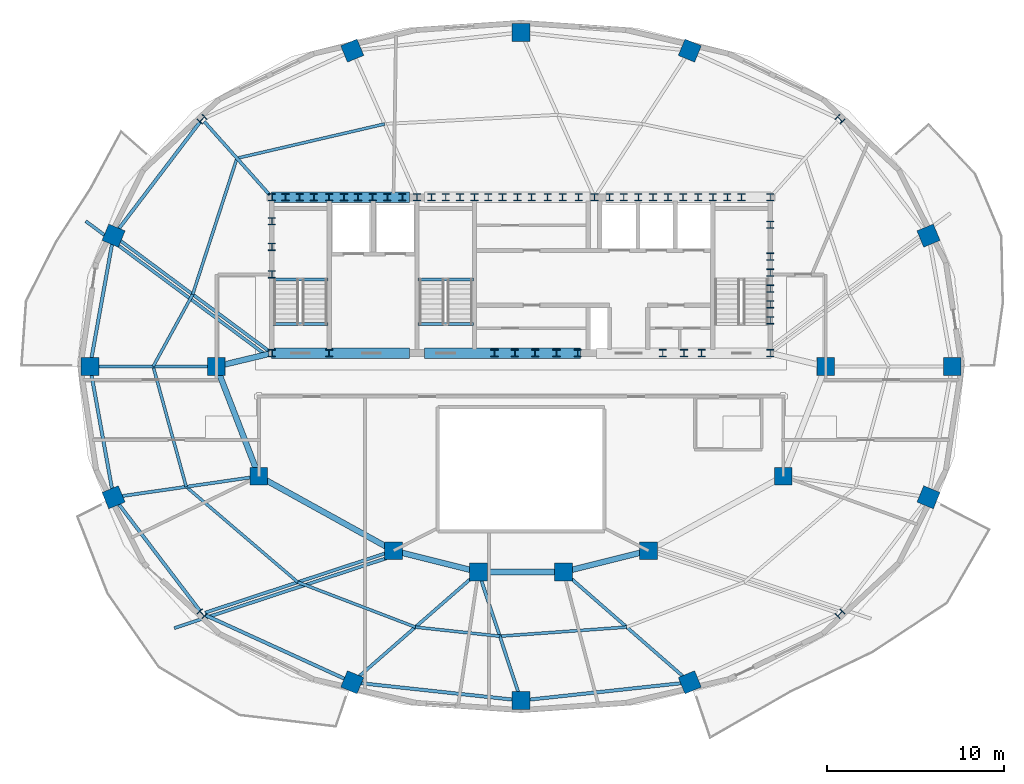
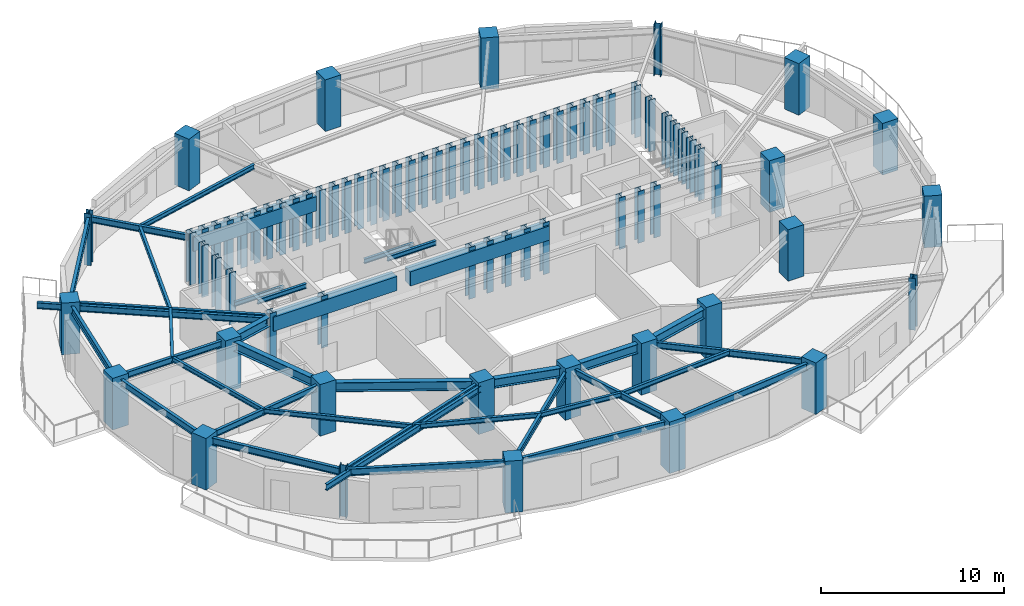
# One storey, part 1 of 10: 78 columns, 38 beams.
"""IFC4 building model written with IfcOpenShell, lengths in metres."""

import ifcopenshell
import ifcopenshell.guid

model = None  # the IFC model being written
_history = None  # IfcOwnerHistory: only IFC2X3 demands one
_inside = {}  # id of a spatial element -> (the spatial element, [elements in it])
_under = {}  # id of a project, library or spatial element -> (it, [spatial elements below it])
_declared = {}  # id of a project -> (the project, [libraries it declares])
_typed = {}  # id of a type object -> (the type object, [elements of that type])
_made_of = {}  # id of a material, layer set ... -> (it, [elements and type objects made of it])


def new_model(schema):
    """Start an empty IFC model of exactly this schema.

    Asked for "IFC4X3", IfcOpenShell would pick the latest addendum, in which some entities
    have other attributes; the version numbers below select the first issue.
    IFC2X3 requires an IfcOwnerHistory on every rooted entity: one is made here for all.
    """
    global model, _history
    if schema == "IFC4X3":
        model = ifcopenshell.file(schema_version=(4, 3, 0, 0))
    else:
        model = ifcopenshell.file(schema=schema)
    _inside.clear()
    _under.clear()
    _declared.clear()
    _typed.clear()
    _made_of.clear()
    _history = None
    if model.schema == "IFC2X3":
        org = make("IfcOrganization", Name="unknown")
        user = make(
            "IfcPersonAndOrganization",
            ThePerson=make("IfcPerson", FamilyName="unknown"),
            TheOrganization=org,
        )
        app = make(
            "IfcApplication",
            ApplicationDeveloper=org,
            Version="unknown",
            ApplicationFullName="unknown",
            ApplicationIdentifier="unknown",
        )
        _history = make(
            "IfcOwnerHistory",
            OwningUser=user,
            OwningApplication=app,
            ChangeAction="ADDED",
            CreationDate=0,
        )
    return model


def make(cls, **values):
    """One entity of the class cls with the attributes given. An attribute that is None is left unset."""
    return model.create_entity(
        cls, **{name: value for name, value in values.items() if value is not None}
    )


def rooted(cls, **values):
    """An entity with a GlobalId (a new one), such as an element, a storey or a relation."""
    return make(cls, GlobalId=ifcopenshell.guid.new(), OwnerHistory=_history, **values)


def si_unit(unit_type, name, prefix=None):
    """IfcSIUnit, for example si_unit("LENGTHUNIT", "METRE", prefix="MILLI")."""
    return make("IfcSIUnit", UnitType=unit_type, Prefix=prefix, Name=name)


def assignment(units):
    """IfcUnitAssignment: the units of a project."""
    return None if units is None else make("IfcUnitAssignment", Units=units)


def point(xyz):
    """IfcCartesianPoint."""
    return None if xyz is None else make("IfcCartesianPoint", Coordinates=xyz)


def direction(xyz):
    """IfcDirection."""
    return None if xyz is None else make("IfcDirection", DirectionRatios=xyz)


def frame(location, z_axis=None, x_axis=None):
    """IfcAxis2Placement3D, a coordinate frame: its origin and axes. An axis left out is left unset."""
    return make(
        "IfcAxis2Placement3D",
        Location=point(location),
        Axis=direction(z_axis),
        RefDirection=direction(x_axis),
    )


def frame_2d(location, x_axis=None):
    """IfcAxis2Placement2D, a coordinate frame in the plane: its origin and x axis."""
    return make(
        "IfcAxis2Placement2D", Location=point(location), RefDirection=direction(x_axis)
    )


def origin():
    """The frame at (0, 0, 0) with its axes left unset."""
    return frame((0.0, 0.0, 0.0))


def origin_2d():
    """The frame at (0, 0) in the plane with its x axis left unset."""
    return frame_2d((0.0, 0.0))


def place(relative_to, where):
    """IfcLocalPlacement: puts the frame where relative to a parent placement (None: the world)."""
    return make(
        "IfcLocalPlacement", PlacementRelTo=relative_to, RelativePlacement=where
    )


def context(
    kind, dimensions, precision=None, world=None, true_north=None, identifier=None
):
    """IfcGeometricRepresentationContext, for example the 3D "Model" context."""
    return make(
        "IfcGeometricRepresentationContext",
        ContextIdentifier=identifier,
        ContextType=kind,
        CoordinateSpaceDimension=dimensions,
        Precision=precision,
        WorldCoordinateSystem=world,
        TrueNorth=true_north,
    )


def subcontext(parent, identifier, kind, view, scale=None):
    """IfcGeometricRepresentationSubContext, for example "Body" below "Model"."""
    return make(
        "IfcGeometricRepresentationSubContext",
        ContextIdentifier=identifier,
        ContextType=kind,
        ParentContext=parent,
        TargetScale=scale,
        TargetView=view,
    )


def project(units=None, contexts=None):
    """IfcProject with its units and contexts."""
    return rooted(
        "IfcProject",
        Name="project",
        RepresentationContexts=contexts,
        UnitsInContext=assignment(units),
    )


def spatial(cls, under=None, at=None, **own):
    """A site, building, storey or space (cls), placed at a placement, below another one or the project."""
    s = rooted(cls, ObjectPlacement=at, **own)
    if under is not None:
        _under.setdefault(under.id(), (under, []))[1].append(s)
    return s


def profile(cls, at=None, kind="AREA", **sizes):
    """A parametric profile (cls). Its sizes go by their IFC names, for example OverallWidth=200.0."""
    return make(cls, ProfileType=kind, Position=at, **sizes)


def rectangle(**sizes):
    """IfcRectangleProfileDef."""
    return profile("IfcRectangleProfileDef", **sizes)


def i_section(**sizes):
    """IfcIShapeProfileDef."""
    return profile("IfcIShapeProfileDef", **sizes)


def extrude(swept, where, along, depth):
    """IfcExtrudedAreaSolid: the profile swept, set in the frame where, extruded along a direction by depth."""
    return make(
        "IfcExtrudedAreaSolid",
        SweptArea=swept,
        Position=where,
        ExtrudedDirection=direction(along),
        Depth=depth,
    )


def shape(context_of_items, identifier, shape_type, items):
    """IfcShapeRepresentation: the items that make up one representation, for example the "Body"."""
    return make(
        "IfcShapeRepresentation",
        ContextOfItems=context_of_items,
        RepresentationIdentifier=identifier,
        RepresentationType=shape_type,
        Items=items,
    )


def material(Name=None, Category=None):
    """IfcMaterial."""
    return make("IfcMaterial", Name=Name, Category=Category)


def material_profile(
    of_material, cross_section, Name=None, Category=None, Priority=None
):
    """IfcMaterialProfile: a cross section and its material."""
    return make(
        "IfcMaterialProfile",
        Name=Name,
        Material=of_material,
        Profile=cross_section,
        Priority=Priority,
        Category=Category,
    )


def profile_set(profiles, Name=None, composite=None):
    """IfcMaterialProfileSet."""
    return make(
        "IfcMaterialProfileSet",
        Name=Name,
        MaterialProfiles=profiles,
        CompositeProfile=composite,
    )


def made_of(thing, what):
    """Note that an element or type object is made of a material, layer set ...; save() writes the relation."""
    if what is not None:
        _made_of.setdefault(what.id(), (what, []))[1].append(thing)
    return thing


def type_object(cls, material=None, **own):
    """A type object (cls), such as IfcWallType, which elements share."""
    return made_of(rooted(cls, **own), material)


def element(
    cls,
    number,
    at=None,
    inside=None,
    cuts=None,
    type_object=None,
    material=None,
    context=None,
    identifier="Body",
    shape_type=None,
    held_by="IfcProductDefinitionShape",
    body=None,
    shapes=None,
    **own,
):
    """One element of the class cls, such as IfcWall. Its Tag is "e" and its number.

    at: its placement. inside: the storey or other place that contains it. cuts: it is an
    opening in that element (IfcRelVoidsElement). A single representation is given by context,
    identifier, shape_type and body (its items); several are given by shapes. held_by: the class
    of the entity that holds the representations. save() writes the other relations.
    """
    e = rooted(cls, Tag="e%d" % number, ObjectPlacement=at, **own)
    if body is not None:
        shapes = [shape(context, identifier, shape_type, body)]
    if shapes is not None:
        e.Representation = make(held_by, Representations=shapes)
    if inside is not None:
        _inside.setdefault(inside.id(), (inside, []))[1].append(e)
    if cuts is not None:
        rooted(
            "IfcRelVoidsElement", RelatingBuildingElement=cuts, RelatedOpeningElement=e
        )
    if type_object is not None:
        _typed.setdefault(type_object.id(), (type_object, []))[1].append(e)
    return made_of(e, material)


def aggregate(whole, parts):
    """IfcRelAggregates: a whole, such as a stair, and the parts it consists of."""
    return rooted("IfcRelAggregates", RelatingObject=whole, RelatedObjects=parts)


def save(model, path):
    """Write the relations noted so far, then the file.

    IfcRelAggregates (storeys below a building ...), IfcRelContainedInSpatialStructure (elements
    in a storey), IfcRelDefinesByType, IfcRelAssociatesMaterial and IfcRelDeclares: one each for
    every whole, place, type object, material and project.
    """
    for whole, parts in _under.values():
        aggregate(whole, parts)
    for where, things in _inside.values():
        rooted(
            "IfcRelContainedInSpatialStructure",
            RelatedElements=things,
            RelatingStructure=where,
        )
    for kind, things in _typed.values():
        rooted("IfcRelDefinesByType", RelatedObjects=things, RelatingType=kind)
    for what, things in _made_of.values():
        rooted("IfcRelAssociatesMaterial", RelatedObjects=things, RelatingMaterial=what)
    for by, libraries in _declared.values():
        rooted("IfcRelDeclares", RelatingContext=by, RelatedDefinitions=libraries)
    model.write(path)


model = new_model("IFC4")

# Units and contexts
model_context = context("Model", 3, precision=1e-05, world=origin(), true_north=direction((0.0, 1.0)))
body_context = subcontext(model_context, "Body", "Model", "MODEL_VIEW")
ifc_project = project(units=[si_unit("LENGTHUNIT", "METRE"), si_unit("AREAUNIT", "SQUARE_METRE"), si_unit("VOLUMEUNIT", "CUBIC_METRE"), si_unit("PLANEANGLEUNIT", "RADIAN"), si_unit("MASSUNIT", "GRAM", prefix="KILO")], contexts=[model_context])

# Site, building, storey
site_placement = place(None, origin())
site = spatial("IfcSite", under=ifc_project, at=site_placement, CompositionType="ELEMENT")
building_placement = place(site_placement, origin())
building = spatial("IfcBuilding", under=site, at=building_placement, Name="Haldorwick Loom Tower", CompositionType="ELEMENT")
storey_placement = place(building_placement, frame((0.0, 0.0, 255.75)))
storey = spatial("IfcBuildingStorey", under=building, at=storey_placement, Name="L69", CompositionType="ELEMENT", Elevation=255.75)

# Columns
ifc_material_1 = material(Name="Concrete C60 (60 MPa)", Category="concrete")
ifc_material_profile_1 = material_profile(ifc_material_1, rectangle(XDim=1.0, YDim=1.0, at=origin_2d()), Name="RC1000X1000", Category="concrete")
ifc_profile_set_1 = profile_set([ifc_material_profile_1], Name="Concrete C60 (60 MPa)")
column_type_1 = type_object("IfcColumnType", Name="STR-COL-RC1000", PredefinedType="COLUMN", material=ifc_profile_set_1)
for number, where, z_axis, x_axis, name in (
    (1, (53.199951171875, 26.0, 0.0), (0.0, 0.0, 1.0), (1.0, 0.0, 0.0), "L69 Inner Column IC-01"),
    (2, (50.800048828125, 19.800048828125, 0.0), (0.0, 0.0, 1.0), (1.0, 0.0, 0.0), "L69 Inner Column IC-02"),
    (3, (43.199951171875, 15.60009765625, 0.0), (0.0, 0.0, 1.0), (1.0, 0.0, 0.0), "L69 Inner Column IC-03"),
    (4, (38.39990234375, 14.39990234375, 0.0), (0.0, 0.0, 1.0), (1.0, 0.0, 0.0), "L69 Inner Column IC-04"),
    (5, (33.60009765625, 14.39990234375, 0.0), (0.0, 0.0, 1.0), (1.0, 0.0, 0.0), "L69 Inner Column IC-05"),
    (6, (28.800048828125, 15.60009765625, 0.0), (0.0, 0.0, 1.0), (1.0, 0.0, 0.0), "L69 Inner Column IC-06"),
    (7, (21.199951171875, 19.800048828125, 0.0), (0.0, 0.0, 1.0), (1.0, 0.0, 0.0), "L69 Inner Column IC-07"),
    (8, (18.800048828125, 26.0, 0.0), (0.0, 0.0, 1.0), (1.0, 0.0, 0.0), "L69 Inner Column IC-08"),
    (9, (60.3369140625, 26.0, 0.0), (0.0, 0.0, 1.0), (1.0, 0.0, 0.0), "L69 Perimeter Pier Column P01"),
    (10, (59.004638671875, 33.3857421875, 0.0), (0.0, 0.0, 1.0), (0.923879532511, 0.382683432365, 0.0), "L69 Perimeter Pier Column P02"),
    (11, (45.52880859375, 43.830810546875, 0.0), (0.0, 0.0, 1.0), (0.382683432365, 0.923879532511, 0.0), "L69 Perimeter Pier Column P04"),
    (12, (36.0, 44.860107421875, 0.0), (0.0, 0.0, 1.0), (0.0, 1.0, 0.0), "L69 Perimeter Pier Column P05"),
    (13, (26.47119140625, 43.830810546875, 0.0), (0.0, 0.0, 1.0), (-0.382683432365, 0.923879532511, 0.0), "L69 Perimeter Pier Column P06"),
    (14, (12.995361328125, 33.3857421875, 0.0), (0.0, 0.0, 1.0), (-0.923879532511, 0.382683432365, 0.0), "L69 Perimeter Pier Column P08"),
    (15, (11.6630859375, 26.0, 0.0), (0.0, 0.0, 1.0), (-1.0, 0.0, 0.0), "L69 Perimeter Pier Column P09"),
    (16, (12.995361328125, 18.6142578125, 0.0), (0.0, 0.0, 1.0), (-0.923879532511, -0.382683432365, 0.0), "L69 Perimeter Pier Column P10"),
    (17, (26.47119140625, 8.169189453125, 0.0), (0.0, 0.0, 1.0), (-0.382683432365, -0.923879532511, 0.0), "L69 Perimeter Pier Column P12"),
    (18, (36.0, 7.139892578125, 0.0), (0.0, 0.0, 1.0), (0.0, -1.0, 0.0), "L69 Perimeter Pier Column P13"),
    (19, (45.52880859375, 8.169189453125, 0.0), (0.0, 0.0, 1.0), (0.382683432365, -0.923879532511, 0.0), "L69 Perimeter Pier Column P14"),
    (20, (59.004638671875, 18.6142578125, 0.0), (0.0, 0.0, 1.0), (0.923879532511, -0.382683432365, 0.0), "L69 Perimeter Pier Column P16"),
):
    element("IfcColumn", number, at=place(storey_placement, frame(where, z_axis=z_axis, x_axis=x_axis)), inside=storey, type_object=column_type_1, Name=name, PredefinedType="COLUMN", context=body_context, shape_type="SweptSolid", body=[
        extrude(rectangle(XDim=1.0, YDim=1.0, at=origin_2d()), origin(), (0.0, 0.0, 1.0), 3.449951171875),
    ])
ifc_material_2 = material(Name="Steel CSA G40.21 350W", Category="steel")
ifc_material_profile_2 = material_profile(ifc_material_2, i_section(OverallWidth=0.406005859375, OverallDepth=0.416015625, WebThickness=0.024169921875, FlangeThickness=0.03857421875, at=origin_2d()), Name="W360X382", Category="steel")
ifc_profile_set_2 = profile_set([ifc_material_profile_2], Name="Steel CSA G40.21 350W")
column_type_2 = type_object("IfcColumnType", Name="STR-COL-W360X382", PredefinedType="COLUMN", material=ifc_profile_set_2)
for number, where, z_axis, x_axis, name in (
    (21, (21.929931640625, 35.550048828125, 0.0), (0.0, 0.0, 1.0), (1.0, 0.0, 0.0), "L69 Core Pilaster CB-01"),
    (22, (23.5, 35.550048828125, 0.0), (0.0, 0.0, 1.0), (1.0, 0.0, 0.0), "L69 Core Pilaster CB-02"),
    (23, (25.169921875, 35.550048828125, 0.0), (0.0, 0.0, 1.0), (1.0, 0.0, 0.0), "L69 Core Pilaster CB-03"),
    (24, (26.800048828125, 35.550048828125, 0.0), (0.0, 0.0, 1.0), (1.0, 0.0, 0.0), "L69 Core Pilaster CB-04"),
    (25, (28.449951171875, 35.550048828125, 0.0), (0.0, 0.0, 1.0), (1.0, 0.0, 0.0), "L69 Core Pilaster CB-05"),
    (26, (30.1298828125, 35.550048828125, 0.0), (0.0, 0.0, 1.0), (1.0, 0.0, 0.0), "L69 Core Pilaster CB-06"),
    (27, (31.75, 35.550048828125, 0.0), (0.0, 0.0, 1.0), (1.0, 0.0, 0.0), "L69 Core Pilaster CB-07"),
    (28, (33.3701171875, 35.550048828125, 0.0), (0.0, 0.0, 1.0), (1.0, 0.0, 0.0), "L69 Core Pilaster CB-08"),
    (29, (34.949951171875, 35.550048828125, 0.0), (0.0, 0.0, 1.0), (1.0, 0.0, 0.0), "L69 Core Pilaster CB-09"),
    (30, (36.60009765625, 35.550048828125, 0.0), (0.0, 0.0, 1.0), (1.0, 0.0, 0.0), "L69 Core Pilaster CB-10"),
    (31, (38.35009765625, 35.550048828125, 0.0), (0.0, 0.0, 1.0), (1.0, 0.0, 0.0), "L69 Core Pilaster CB-11"),
    (32, (40.14990234375, 35.550048828125, 0.0), (0.0, 0.0, 1.0), (1.0, 0.0, 0.0), "L69 Core Pilaster CB-12"),
    (33, (41.800048828125, 35.550048828125, 0.0), (0.0, 0.0, 1.0), (1.0, 0.0, 0.0), "L69 Core Pilaster CB-13"),
    (34, (43.449951171875, 35.550048828125, 0.0), (0.0, 0.0, 1.0), (1.0, 0.0, 0.0), "L69 Core Pilaster CB-14"),
    (35, (45.14990234375, 35.550048828125, 0.0), (0.0, 0.0, 1.0), (1.0, 0.0, 0.0), "L69 Core Pilaster CB-15"),
    (36, (46.830078125, 35.550048828125, 0.0), (0.0, 0.0, 1.0), (1.0, 0.0, 0.0), "L69 Core Pilaster CB-16"),
    (37, (48.449951171875, 35.550048828125, 0.0), (0.0, 0.0, 1.0), (1.0, 0.0, 0.0), "L69 Core Pilaster CB-17"),
    (38, (50.070068359375, 35.550048828125, 0.0), (0.0, 0.0, 1.0), (1.0, 0.0, 0.0), "L69 Core Pilaster CB-18"),
    (39, (21.929931640625, 26.75, 0.0), (0.0, 0.0, 1.0), (1.0, 0.0, 0.0), "L69 Core Pilaster CB-19"),
    (40, (25.169921875, 26.75, 0.0), (0.0, 0.0, 1.0), (1.0, 0.0, 0.0), "L69 Core Pilaster CB-20"),
    (41, (34.5, 26.75, 0.0), (0.0, 0.0, 1.0), (1.0, 0.0, 0.0), "L69 Core Pilaster CB-21"),
    (42, (36.800048828125, 26.75, 0.0), (0.0, 0.0, 1.0), (1.0, 0.0, 0.0), "L69 Core Pilaster CB-22"),
    (43, (39.199951171875, 26.75, 0.0), (0.0, 0.0, 1.0), (1.0, 0.0, 0.0), "L69 Core Pilaster CB-23"),
    (44, (45.199951171875, 26.75, 0.0), (0.0, 0.0, 1.0), (1.0, 0.0, 0.0), "L69 Core Pilaster CB-24"),
    (45, (50.070068359375, 26.75, 0.0), (0.0, 0.0, 1.0), (1.0, 0.0, 0.0), "L69 Core Pilaster CB-25"),
    (46, (21.929931640625, 31.199951171875, 0.0), (0.0, 0.0, 1.0), (1.0, 0.0, 0.0), "L69 Core Pilaster CB-26"),
    (47, (21.929931640625, 32.75, 0.0), (0.0, 0.0, 1.0), (1.0, 0.0, 0.0), "L69 Core Pilaster CB-27"),
    (48, (21.929931640625, 34.199951171875, 0.0), (0.0, 0.0, 1.0), (1.0, 0.0, 0.0), "L69 Core Pilaster CB-28"),
    (49, (50.070068359375, 28.60009765625, 0.0), (0.0, 0.0, 1.0), (1.0, 0.0, 0.0), "L69 Core Pilaster CB-29"),
    (50, (50.070068359375, 30.39990234375, 0.0), (0.0, 0.0, 1.0), (1.0, 0.0, 0.0), "L69 Core Pilaster CB-30"),
    (51, (50.070068359375, 32.199951171875, 0.0), (0.0, 0.0, 1.0), (1.0, 0.0, 0.0), "L69 Core Pilaster CB-31"),
    (52, (50.070068359375, 34.0, 0.0), (0.0, 0.0, 1.0), (1.0, 0.0, 0.0), "L69 Core Pilaster CB-32"),
    (53, (22.699951171875, 35.550048828125, 0.0), (0.0, 0.0, 1.0), (1.0, 0.0, 0.0), "L69 Core Pilaster CB-33"),
    (54, (27.6201171875, 35.550048828125, 0.0), (0.0, 0.0, 1.0), (1.0, 0.0, 0.0), "L69 Core Pilaster CB-34"),
    (55, (32.550048828125, 35.550048828125, 0.0), (0.0, 0.0, 1.0), (1.0, 0.0, 0.0), "L69 Core Pilaster CB-35"),
    (56, (37.5, 35.550048828125, 0.0), (0.0, 0.0, 1.0), (1.0, 0.0, 0.0), "L69 Core Pilaster CB-36"),
    (57, (42.6201171875, 35.550048828125, 0.0), (0.0, 0.0, 1.0), (1.0, 0.0, 0.0), "L69 Core Pilaster CB-37"),
    (58, (47.64990234375, 35.550048828125, 0.0), (0.0, 0.0, 1.0), (1.0, 0.0, 0.0), "L69 Core Pilaster CB-38"),
    (59, (24.300048828125, 35.550048828125, 0.0), (0.0, 0.0, 1.0), (1.0, 0.0, 0.0), "L69 Core Pilaster CB-39"),
    (60, (26.0, 35.550048828125, 0.0), (0.0, 0.0, 1.0), (1.0, 0.0, 0.0), "L69 Core Pilaster CB-40"),
    (61, (29.300048828125, 35.550048828125, 0.0), (0.0, 0.0, 1.0), (1.0, 0.0, 0.0), "L69 Core Pilaster CB-41"),
    (62, (30.949951171875, 35.550048828125, 0.0), (0.0, 0.0, 1.0), (1.0, 0.0, 0.0), "L69 Core Pilaster CB-42"),
    (63, (34.14990234375, 35.550048828125, 0.0), (0.0, 0.0, 1.0), (1.0, 0.0, 0.0), "L69 Core Pilaster CB-43"),
    (64, (35.800048828125, 35.550048828125, 0.0), (0.0, 0.0, 1.0), (1.0, 0.0, 0.0), "L69 Core Pilaster CB-44"),
    (65, (39.25, 35.550048828125, 0.0), (0.0, 0.0, 1.0), (1.0, 0.0, 0.0), "L69 Core Pilaster CB-45"),
    (66, (41.0, 35.550048828125, 0.0), (0.0, 0.0, 1.0), (1.0, 0.0, 0.0), "L69 Core Pilaster CB-46"),
    (67, (44.300048828125, 35.550048828125, 0.0), (0.0, 0.0, 1.0), (1.0, 0.0, 0.0), "L69 Core Pilaster CB-47"),
    (68, (46.0, 35.550048828125, 0.0), (0.0, 0.0, 1.0), (1.0, 0.0, 0.0), "L69 Core Pilaster CB-48"),
    (69, (50.070068359375, 29.5, 0.0), (0.0, 0.0, 1.0), (1.0, 0.0, 0.0), "L69 Core Pilaster CB-49"),
    (70, (50.070068359375, 31.300048828125, 0.0), (0.0, 0.0, 1.0), (1.0, 0.0, 0.0), "L69 Core Pilaster CB-50"),
    (71, (35.64990234375, 26.75, 0.0), (0.0, 0.0, 1.0), (1.0, 0.0, 0.0), "L69 Core Pilaster CB-51"),
    (72, (38.0, 26.75, 0.0), (0.0, 0.0, 1.0), (1.0, 0.0, 0.0), "L69 Core Pilaster CB-52"),
    (73, (44.0, 26.75, 0.0), (0.0, 0.0, 1.0), (1.0, 0.0, 0.0), "L69 Core Pilaster CB-53"),
    (74, (46.199951171875, 26.75, 0.0), (0.0, 0.0, 1.0), (1.0, 0.0, 0.0), "L69 Core Pilaster CB-54"),
    (75, (54.005126953125, 39.958251953125, 0.0), (0.0, 0.0, 1.0), (0.707106781187, 0.707106781187, 0.0), "L69 Perimeter Pier Column P03"),
    (76, (17.994873046875, 39.958251953125, 0.0), (0.0, 0.0, 1.0), (-0.707106781187, 0.707106781187, 0.0), "L69 Perimeter Pier Column P07"),
    (77, (17.994873046875, 12.041748046875, 0.0), (0.0, 0.0, 1.0), (-0.707106781187, -0.707106781187, 0.0), "L69 Perimeter Pier Column P11"),
    (78, (54.005126953125, 12.041748046875, 0.0), (0.0, 0.0, 1.0), (0.707106781187, -0.707106781187, 0.0), "L69 Perimeter Pier Column P15"),
):
    element("IfcColumn", number, at=place(storey_placement, frame(where, z_axis=z_axis, x_axis=x_axis)), inside=storey, type_object=column_type_2, Name=name, PredefinedType="COLUMN", context=body_context, shape_type="SweptSolid", body=[
        extrude(i_section(OverallWidth=0.406005859375, OverallDepth=0.416015625, WebThickness=0.024169921875, FlangeThickness=0.03857421875, at=origin_2d()), origin(), (0.0, 0.0, 1.0), 3.449951171875),
    ])

# Beams
ifc_material_profile_3 = material_profile(ifc_material_2, i_section(OverallWidth=0.179931640625, OverallDepth=0.4130859375, WebThickness=0.009765625, FlangeThickness=0.01611328125, at=origin_2d()), Name="W410X74", Category="steel")
ifc_profile_set_3 = profile_set([ifc_material_profile_3], Name="Steel CSA G40.21 350W")
beam_type_1 = type_object("IfcBeamType", Name="STR-BM-BAL410", PredefinedType="BEAM", material=ifc_profile_set_3)
beam_1_placement = place(storey_placement, frame((28.436279296875, 15.185546875, 3.00341796875), z_axis=(-0.949817650067, -0.312804142589, 0.0), x_axis=(0.312804142589, -0.949817650067, 0.0)))
element("IfcBeam", 79, at=beam_1_placement, inside=storey, type_object=beam_type_1, Name="L69 Continuous Back-Spanned Balcony Beam 2", PredefinedType="BEAM", context=body_context, shape_type="SweptSolid", body=[
    extrude(i_section(OverallWidth=0.179931640625, OverallDepth=0.4130859375, WebThickness=0.009765625, FlangeThickness=0.01611328125, at=origin_2d()), origin(), (0.0, 0.0, 1.0), 12.65087890625),
])
beam_2_placement = place(storey_placement, frame((21.6201171875, 26.63134765625, 3.00341796875), z_axis=(-0.802802996116, 0.596244370562, 0.0), x_axis=(-0.596244370562, -0.802802996116, 0.0)))
element("IfcBeam", 80, at=beam_2_placement, inside=storey, type_object=beam_type_1, Name="L69 Continuous Back-Spanned Balcony Beam 3", PredefinedType="BEAM", context=body_context, shape_type="SweptSolid", body=[
    extrude(i_section(OverallWidth=0.179931640625, OverallDepth=0.4130859375, WebThickness=0.009765625, FlangeThickness=0.01611328125, at=origin_2d()), origin(), (0.0, 0.0, 1.0), 12.701171875),
])
ifc_material_3 = material(Name="Concrete C50 (50 MPa)", Category="concrete")
ifc_material_profile_4 = material_profile(ifc_material_3, rectangle(XDim=0.60009765625, YDim=0.949951171875, at=origin_2d()), Name="RC600X950", Category="concrete")
ifc_profile_set_4 = profile_set([ifc_material_profile_4], Name="Concrete C50 (50 MPa)")
beam_type_2 = type_object("IfcBeamType", Name="STR-BM-CB950", PredefinedType="LINTEL", material=ifc_profile_set_4)
for number, where, z_axis, x_axis, name in (
    (81, (21.89990234375, 35.550048828125, 2.735107421875), (1.0, 0.0, 0.0), (0.0, 1.0, 0.0), "L69 Core Coupling Beam CB-N1"),
    (82, (21.89990234375, 26.75, 2.735107421875), (1.0, 0.0, 0.0), (0.0, 1.0, 0.0), "L69 Core Coupling Beam CB-S1"),
):
    element("IfcBeam", number, at=place(storey_placement, frame(where, z_axis=z_axis, x_axis=x_axis)), inside=storey, type_object=beam_type_2, Name=name, PredefinedType="LINTEL", context=body_context, shape_type="SweptSolid", body=[
        extrude(rectangle(XDim=0.60009765625, YDim=0.949951171875, at=origin_2d()), origin(), (0.0, 0.0, 1.0), 7.800048828125),
    ])
beam_3_placement = place(storey_placement, frame((30.550048828125, 26.75, 2.735107421875), z_axis=(1.0, 0.0, 0.0), x_axis=(0.0, 1.0, 0.0)))
element("IfcBeam", 83, at=beam_3_placement, inside=storey, type_object=beam_type_2, Name="L69 Core Coupling Beam CB-S2", PredefinedType="LINTEL", context=body_context, shape_type="SweptSolid", body=[
    extrude(rectangle(XDim=0.60009765625, YDim=0.949951171875, at=origin_2d()), origin(), (0.0, 0.0, 1.0), 8.800048828125),
])
ifc_material_profile_5 = material_profile(ifc_material_2, i_section(OverallWidth=0.166015625, OverallDepth=0.31298828125, WebThickness=0.006591796875, FlangeThickness=0.01123046875, at=origin_2d()), Name="W310X45", Category="steel")
ifc_profile_set_5 = profile_set([ifc_material_profile_5], Name="Steel CSA G40.21 350W")
beam_type_3 = type_object("IfcBeamType", Name="STR-BM-J310", PredefinedType="JOIST", material=ifc_profile_set_5)
beam_4_placement = place(storey_placement, frame((28.300537109375, 39.6904296875, 3.053466796875), z_axis=(-0.974080706337, -0.226200746112, 0.0), x_axis=(0.226200746112, -0.974080706337, 0.0)))
element("IfcBeam", 84, at=beam_4_placement, inside=storey, type_object=beam_type_3, Name="L69 Mid-Bay Secondary Joist 6", PredefinedType="JOIST", context=body_context, shape_type="SweptSolid", body=[
    extrude(i_section(OverallWidth=0.166015625, OverallDepth=0.31298828125, WebThickness=0.006591796875, FlangeThickness=0.01123046875, at=origin_2d()), origin(), (0.0, 0.0, 1.0), 8.56005859375),
])
beam_5_placement = place(storey_placement, frame((19.96240234375, 37.754150390625, 3.053466796875), z_axis=(-0.309277990337, -0.95097167397, 0.0), x_axis=(0.95097167397, -0.309277990337, 0.0)))
element("IfcBeam", 85, at=beam_5_placement, inside=storey, type_object=beam_type_3, Name="L69 Mid-Bay Secondary Joist 7", PredefinedType="JOIST", context=body_context, shape_type="SweptSolid", body=[
    extrude(i_section(OverallWidth=0.166015625, OverallDepth=0.31298828125, WebThickness=0.006591796875, FlangeThickness=0.01123046875, at=origin_2d()), origin(), (0.0, 0.0, 1.0), 8.08251953125),
])
beam_6_placement = place(storey_placement, frame((17.462646484375, 30.06787109375, 3.053466796875), z_axis=(-0.480863931781, -0.876795232145, 0.0), x_axis=(0.876795232145, -0.480863931781, 0.0)))
element("IfcBeam", 86, at=beam_6_placement, inside=storey, type_object=beam_type_3, Name="L69 Mid-Bay Secondary Joist 8", PredefinedType="JOIST", context=body_context, shape_type="SweptSolid", body=[
    extrude(i_section(OverallWidth=0.166015625, OverallDepth=0.31298828125, WebThickness=0.006591796875, FlangeThickness=0.01123046875, at=origin_2d()), origin(), (0.0, 0.0, 1.0), 4.639404296875),
])
beam_7_placement = place(storey_placement, frame((15.231689453125, 26.0, 3.053466796875), z_axis=(0.264879381431, -0.964281552915, 0.0), x_axis=(0.964281552915, 0.264879381431, 0.0)))
element("IfcBeam", 87, at=beam_7_placement, inside=storey, type_object=beam_type_3, Name="L69 Mid-Bay Secondary Joist 9", PredefinedType="JOIST", context=body_context, shape_type="SweptSolid", body=[
    extrude(i_section(OverallWidth=0.166015625, OverallDepth=0.31298828125, WebThickness=0.006591796875, FlangeThickness=0.01123046875, at=origin_2d()), origin(), (0.0, 0.0, 1.0), 7.044677734375),
])
beam_8_placement = place(storey_placement, frame((17.09765625, 19.20703125, 3.053466796875), z_axis=(0.760066902561, -0.649844830426, 0.0), x_axis=(0.649844830426, 0.760066902561, 0.0)))
element("IfcBeam", 88, at=beam_8_placement, inside=storey, type_object=beam_type_3, Name="L69 Mid-Bay Secondary Joist 10", PredefinedType="JOIST", context=body_context, shape_type="SweptSolid", body=[
    extrude(i_section(OverallWidth=0.166015625, OverallDepth=0.31298828125, WebThickness=0.006591796875, FlangeThickness=0.01123046875, at=origin_2d()), origin(), (0.0, 0.0, 1.0), 8.28857421875),
])
beam_9_placement = place(storey_placement, frame((23.3974609375, 13.82080078125, 3.053466796875), z_axis=(0.934134056558, -0.356922350628, 0.0), x_axis=(0.356922350628, 0.934134056558, 0.0)))
element("IfcBeam", 89, at=beam_9_placement, inside=storey, type_object=beam_type_3, Name="L69 Mid-Bay Secondary Joist 11", PredefinedType="JOIST", context=body_context, shape_type="SweptSolid", body=[
    extrude(i_section(OverallWidth=0.166015625, OverallDepth=0.31298828125, WebThickness=0.006591796875, FlangeThickness=0.01123046875, at=origin_2d()), origin(), (0.0, 0.0, 1.0), 7.106201171875),
])
beam_10_placement = place(storey_placement, frame((30.03564453125, 11.284423828125, 3.053466796875), z_axis=(0.994221899005, -0.107344378232, 0.0), x_axis=(0.107344378232, 0.994221899005, 0.0)))
element("IfcBeam", 90, at=beam_10_placement, inside=storey, type_object=beam_type_3, Name="L69 Mid-Bay Secondary Joist 12", PredefinedType="JOIST", context=body_context, shape_type="SweptSolid", body=[
    extrude(i_section(OverallWidth=0.166015625, OverallDepth=0.31298828125, WebThickness=0.006591796875, FlangeThickness=0.01123046875, at=origin_2d()), origin(), (0.0, 0.0, 1.0), 4.7919921875),
])
beam_11_placement = place(storey_placement, frame((34.800048828125, 10.77001953125, 3.053466796875), z_axis=(0.997432233153, 0.071616620046, 0.0), x_axis=(-0.071616620046, 0.997432233153, 0.0)))
element("IfcBeam", 91, at=beam_11_placement, inside=storey, type_object=beam_type_3, Name="L69 Mid-Bay Secondary Joist 13", PredefinedType="JOIST", context=body_context, shape_type="SweptSolid", body=[
    extrude(i_section(OverallWidth=0.166015625, OverallDepth=0.31298828125, WebThickness=0.006591796875, FlangeThickness=0.01123046875, at=origin_2d()), origin(), (0.0, 0.0, 1.0), 7.182861328125),
])
ifc_material_profile_6 = material_profile(ifc_material_2, i_section(OverallWidth=0.179931640625, OverallDepth=0.4130859375, WebThickness=0.009765625, FlangeThickness=0.01611328125, at=origin_2d()), Name="W410X74", Category="steel")
ifc_profile_set_6 = profile_set([ifc_material_profile_6], Name="Steel CSA G40.21 350W")
beam_type_4 = type_object("IfcBeamType", Name="STR-BM-J410", PredefinedType="JOIST", material=ifc_profile_set_6)
beam_12_placement = place(storey_placement, frame((21.8115234375, 35.682861328125, 3.00341796875), z_axis=(-0.665966842703, 0.745981343212, 0.0), x_axis=(-0.745981343212, -0.665966842703, 0.0)))
element("IfcBeam", 92, at=beam_12_placement, inside=storey, type_object=beam_type_4, Name="L69 Radial Floor Girder 7", PredefinedType="JOIST", context=body_context, shape_type="SweptSolid", body=[
    extrude(i_section(OverallWidth=0.179931640625, OverallDepth=0.4130859375, WebThickness=0.009765625, FlangeThickness=0.01611328125, at=origin_2d()), origin(), (0.0, 0.0, 1.0), 5.55322265625),
])
beam_13_placement = place(storey_placement, frame((21.787109375, 26.856201171875, 3.00341796875), z_axis=(-0.802807271117, 0.596238614518, 0.0), x_axis=(-0.596238614518, -0.802807271117, 0.0)))
element("IfcBeam", 93, at=beam_13_placement, inside=storey, type_object=beam_type_4, Name="L69 Radial Floor Girder 8", PredefinedType="JOIST", context=body_context, shape_type="SweptSolid", body=[
    extrude(i_section(OverallWidth=0.179931640625, OverallDepth=0.4130859375, WebThickness=0.009765625, FlangeThickness=0.01611328125, at=origin_2d()), origin(), (0.0, 0.0, 1.0), 10.476318359375),
])
beam_14_placement = place(storey_placement, frame((18.324951171875, 26.0, 3.00341796875), z_axis=(-1.0, 0.0, 0.0), x_axis=(0.0, -1.0, 0.0)))
element("IfcBeam", 94, at=beam_14_placement, inside=storey, type_object=beam_type_4, Name="L69 Radial Floor Girder 9", PredefinedType="JOIST", context=body_context, shape_type="SweptSolid", body=[
    extrude(i_section(OverallWidth=0.179931640625, OverallDepth=0.4130859375, WebThickness=0.009765625, FlangeThickness=0.01611328125, at=origin_2d()), origin(), (0.0, 0.0, 1.0), 6.186767578125),
])
beam_15_placement = place(storey_placement, frame((20.72998046875, 19.732177734375, 3.00341796875), z_axis=(-0.989713971376, -0.143060318968, 0.0), x_axis=(0.143060318968, -0.989713971376, 0.0)))
element("IfcBeam", 95, at=beam_15_placement, inside=storey, type_object=beam_type_4, Name="L69 Radial Floor Girder 10", PredefinedType="JOIST", context=body_context, shape_type="SweptSolid", body=[
    extrude(i_section(OverallWidth=0.179931640625, OverallDepth=0.4130859375, WebThickness=0.009765625, FlangeThickness=0.01611328125, at=origin_2d()), origin(), (0.0, 0.0, 1.0), 7.33984375),
])
beam_16_placement = place(storey_placement, frame((28.348876953125, 15.451416015625, 3.00341796875), z_axis=(-0.94982454623, -0.312783201882, 0.0), x_axis=(0.312783201882, -0.94982454623, 0.0)))
element("IfcBeam", 96, at=beam_16_placement, inside=storey, type_object=beam_type_4, Name="L69 Radial Floor Girder 11", PredefinedType="JOIST", context=body_context, shape_type="SweptSolid", body=[
    extrude(i_section(OverallWidth=0.179931640625, OverallDepth=0.4130859375, WebThickness=0.009765625, FlangeThickness=0.01611328125, at=origin_2d()), origin(), (0.0, 0.0, 1.0), 10.72314453125),
])
beam_17_placement = place(storey_placement, frame((33.242431640625, 14.08740234375, 3.00341796875), z_axis=(-0.752935231169, -0.65809462668, 0.0), x_axis=(0.65809462668, -0.752935231169, 0.0)))
element("IfcBeam", 97, at=beam_17_placement, inside=storey, type_object=beam_type_4, Name="L69 Radial Floor Girder 12", PredefinedType="JOIST", context=body_context, shape_type="SweptSolid", body=[
    extrude(i_section(OverallWidth=0.179931640625, OverallDepth=0.4130859375, WebThickness=0.009765625, FlangeThickness=0.01611328125, at=origin_2d()), origin(), (0.0, 0.0, 1.0), 8.51806640625),
])
beam_18_placement = place(storey_placement, frame((33.7490234375, 13.948974609375, 3.00341796875), z_axis=(0.31387519153, -0.949464251113, 0.0), x_axis=(0.949464251113, 0.31387519153, 0.0)))
element("IfcBeam", 98, at=beam_18_placement, inside=storey, type_object=beam_type_4, Name="L69 Radial Floor Girder 13", PredefinedType="JOIST", context=body_context, shape_type="SweptSolid", body=[
    extrude(i_section(OverallWidth=0.179931640625, OverallDepth=0.4130859375, WebThickness=0.009765625, FlangeThickness=0.01611328125, at=origin_2d()), origin(), (0.0, 0.0, 1.0), 6.6962890625),
])
beam_19_placement = place(storey_placement, frame((38.757568359375, 14.08740234375, 3.00341796875), z_axis=(0.752935231169, -0.65809462668, 0.0), x_axis=(0.65809462668, 0.752935231169, 0.0)))
element("IfcBeam", 99, at=beam_19_placement, inside=storey, type_object=beam_type_4, Name="L69 Radial Floor Girder 14", PredefinedType="JOIST", context=body_context, shape_type="SweptSolid", body=[
    extrude(i_section(OverallWidth=0.179931640625, OverallDepth=0.4130859375, WebThickness=0.009765625, FlangeThickness=0.01611328125, at=origin_2d()), origin(), (0.0, 0.0, 1.0), 8.51806640625),
])
ifc_material_profile_7 = material_profile(ifc_material_2, i_section(OverallWidth=0.193115234375, OverallDepth=0.466064453125, WebThickness=0.011474609375, FlangeThickness=0.01904296875, at=origin_2d()), Name="W460X97", Category="steel")
ifc_profile_set_7 = profile_set([ifc_material_profile_7], Name="Steel CSA G40.21 350W")
beam_type_5 = type_object("IfcBeamType", Name="STR-BM-SP460", PredefinedType="SPANDREL", material=ifc_profile_set_7)
beam_20_placement = place(storey_placement, frame((17.886962890625, 39.816650390625, 2.97705078125), z_axis=(-0.605410439126, -0.795913437629, 0.0), x_axis=(0.795913437629, -0.605410439126, 0.0)))
element("IfcBeam", 100, at=beam_20_placement, inside=storey, type_object=beam_type_5, Name="L69 Perimeter Spandrel 7", PredefinedType="SPANDREL", context=body_context, shape_type="SweptSolid", body=[
    extrude(i_section(OverallWidth=0.193115234375, OverallDepth=0.466064453125, WebThickness=0.011474609375, FlangeThickness=0.01904296875, at=origin_2d()), origin(), (0.0, 0.0, 1.0), 7.604736328125),
])
for number, where, z_axis, x_axis, name in (
    (101, (12.9111328125, 32.918212890625, 2.97705078125), (-0.177515201984, -0.984118058499, 0.0), (0.984118058499, -0.177515201984, 0.0), "L69 Perimeter Spandrel 8"),
    (102, (11.74755859375, 25.532470703125, 2.97705078125), (0.177515201984, -0.984118058499, 0.0), (0.984118058499, 0.177515201984, 0.0), "L69 Perimeter Spandrel 9"),
):
    element("IfcBeam", number, at=place(storey_placement, frame(where, z_axis=z_axis, x_axis=x_axis)), inside=storey, type_object=beam_type_5, Name=name, PredefinedType="SPANDREL", context=body_context, shape_type="SweptSolid", body=[
        extrude(i_section(OverallWidth=0.193115234375, OverallDepth=0.466064453125, WebThickness=0.011474609375, FlangeThickness=0.01904296875, at=origin_2d()), origin(), (0.0, 0.0, 1.0), 6.5546875),
    ])
beam_21_placement = place(storey_placement, frame((13.282958984375, 18.236083984375, 2.97705078125), z_axis=(0.605410439126, -0.795913437629, 0.0), x_axis=(0.795913437629, 0.605410439126, 0.0)))
element("IfcBeam", 103, at=beam_21_placement, inside=storey, type_object=beam_type_5, Name="L69 Perimeter Spandrel 10", PredefinedType="SPANDREL", context=body_context, shape_type="SweptSolid", body=[
    extrude(i_section(OverallWidth=0.193115234375, OverallDepth=0.466064453125, WebThickness=0.011474609375, FlangeThickness=0.01904296875, at=origin_2d()), origin(), (0.0, 0.0, 1.0), 7.604736328125),
])
beam_22_placement = place(storey_placement, frame((18.15673828125, 11.9677734375, 2.97705078125), z_axis=(0.909567887863, -0.415555360172, 0.0), x_axis=(0.415555360172, 0.909567887863, 0.0)))
element("IfcBeam", 104, at=beam_22_placement, inside=storey, type_object=beam_type_5, Name="L69 Perimeter Spandrel 11", PredefinedType="SPANDREL", context=body_context, shape_type="SweptSolid", body=[
    extrude(i_section(OverallWidth=0.193115234375, OverallDepth=0.466064453125, WebThickness=0.011474609375, FlangeThickness=0.01904296875, at=origin_2d()), origin(), (0.0, 0.0, 1.0), 8.666259765625),
])
for number, where, z_axis, x_axis, name in (
    (105, (26.943603515625, 8.1181640625, 2.97705078125), (0.994216353781, -0.107395725588, 0.0), (0.107395725588, 0.994216353781, 0.0), "L69 Perimeter Spandrel 12"),
    (106, (36.472412109375, 7.19091796875, 2.97705078125), (0.994216353781, 0.107395725588, 0.0), (-0.107395725588, 0.994216353781, 0.0), "L69 Perimeter Spandrel 13"),
):
    element("IfcBeam", number, at=place(storey_placement, frame(where, z_axis=z_axis, x_axis=x_axis)), inside=storey, type_object=beam_type_5, Name=name, PredefinedType="SPANDREL", context=body_context, shape_type="SweptSolid", body=[
        extrude(i_section(OverallWidth=0.193115234375, OverallDepth=0.466064453125, WebThickness=0.011474609375, FlangeThickness=0.01904296875, at=origin_2d()), origin(), (0.0, 0.0, 1.0), 8.634033203125),
    ])
ifc_material_profile_8 = material_profile(ifc_material_2, i_section(OverallWidth=0.166015625, OverallDepth=0.31298828125, WebThickness=0.006591796875, FlangeThickness=0.01123046875, at=origin_2d()), Name="W310X45", Category="steel")
ifc_profile_set_8 = profile_set([ifc_material_profile_8], Name="Steel CSA G40.21 350W")
beam_type_6 = type_object("IfcBeamType", Name="STR-BM-STRM", PredefinedType="BEAM", material=ifc_profile_set_8)
for number, where, z_axis, x_axis, name in (
    (107, (21.989990234375, 28.39990234375, 3.053466796875), (1.0, 0.0, 0.0), (0.0, 1.0, 0.0), "L69 Stair ST-01 Landing Edge Trimmer"),
    (108, (21.989990234375, 30.919921875, 1.368408203125), (1.0, 0.0, 0.0), (0.0, 1.0, 0.0), "L69 Stair ST-01 Half-Landing Trimmer 1"),
    (109, (30.18994140625, 28.39990234375, 3.053466796875), (1.0, 0.0, 0.0), (0.0, 1.0, 0.0), "L69 Stair ST-03 Landing Edge Trimmer"),
    (110, (30.18994140625, 30.919921875, 1.368408203125), (1.0, 0.0, 0.0), (0.0, 1.0, 0.0), "L69 Stair ST-03 Half-Landing Trimmer 1"),
):
    element("IfcBeam", number, at=place(storey_placement, frame(where, z_axis=z_axis, x_axis=x_axis)), inside=storey, type_object=beam_type_6, Name=name, PredefinedType="BEAM", context=body_context, shape_type="SweptSolid", body=[
        extrude(i_section(OverallWidth=0.166015625, OverallDepth=0.31298828125, WebThickness=0.006591796875, FlangeThickness=0.01123046875, at=origin_2d()), origin(), (0.0, 0.0, 1.0), 3.1201171875),
    ])
ifc_material_profile_9 = material_profile(ifc_material_2, i_section(OverallWidth=0.324951171875, OverallDepth=0.615966796875, WebThickness=0.013916015625, FlangeThickness=0.021484375, at=origin_2d()), Name="W610X174", Category="steel")
ifc_profile_set_9 = profile_set([ifc_material_profile_9], Name="Steel CSA G40.21 350W")
beam_type_7 = type_object("IfcBeamType", Name="STR-BM-W610A", PredefinedType="BEAM", material=ifc_profile_set_9)
beam_23_placement = place(storey_placement, frame((42.7392578125, 15.48486328125, 2.902099609375), z_axis=(-0.970135315182, -0.242564363081, 0.0), x_axis=(0.242564363081, -0.970135315182, 0.0)))
element("IfcBeam", 111, at=beam_23_placement, inside=storey, type_object=beam_type_7, Name="L69 Inner Ring Girder 4", PredefinedType="BEAM", context=body_context, shape_type="SweptSolid", body=[
    extrude(i_section(OverallWidth=0.324951171875, OverallDepth=0.615966796875, WebThickness=0.013916015625, FlangeThickness=0.021484375, at=origin_2d()), origin(), (0.0, 0.0, 1.0), 3.997802734375),
])
beam_24_placement = place(storey_placement, frame((37.925048828125, 14.39990234375, 2.902099609375), z_axis=(-1.0, 0.0, 0.0), x_axis=(0.0, -1.0, 0.0)))
element("IfcBeam", 112, at=beam_24_placement, inside=storey, type_object=beam_type_7, Name="L69 Inner Ring Girder 5", PredefinedType="BEAM", context=body_context, shape_type="SweptSolid", body=[
    extrude(i_section(OverallWidth=0.324951171875, OverallDepth=0.615966796875, WebThickness=0.013916015625, FlangeThickness=0.021484375, at=origin_2d()), origin(), (0.0, 0.0, 1.0), 3.85009765625),
])
beam_25_placement = place(storey_placement, frame((33.13916015625, 14.51513671875, 2.902099609375), z_axis=(-0.970135315182, 0.242564363081, 0.0), x_axis=(-0.242564363081, -0.970135315182, 0.0)))
element("IfcBeam", 113, at=beam_25_placement, inside=storey, type_object=beam_type_7, Name="L69 Inner Ring Girder 6", PredefinedType="BEAM", context=body_context, shape_type="SweptSolid", body=[
    extrude(i_section(OverallWidth=0.324951171875, OverallDepth=0.615966796875, WebThickness=0.013916015625, FlangeThickness=0.021484375, at=origin_2d()), origin(), (0.0, 0.0, 1.0), 3.997802734375),
])
beam_26_placement = place(storey_placement, frame((28.38427734375, 15.829833984375, 2.902099609375), z_axis=(-0.875243645673, 0.483682293152, 0.0), x_axis=(-0.483682293152, -0.875243645673, 0.0)))
element("IfcBeam", 114, at=beam_26_placement, inside=storey, type_object=beam_type_7, Name="L69 Inner Ring Girder 7", PredefinedType="BEAM", context=body_context, shape_type="SweptSolid", body=[
    extrude(i_section(OverallWidth=0.324951171875, OverallDepth=0.615966796875, WebThickness=0.013916015625, FlangeThickness=0.021484375, at=origin_2d()), origin(), (0.0, 0.0, 1.0), 7.7333984375),
])
beam_27_placement = place(storey_placement, frame((21.028564453125, 20.242919921875, 2.902099609375), z_axis=(-0.36101093026, 0.93256158415, 0.0), x_axis=(-0.93256158415, -0.36101093026, 0.0)))
element("IfcBeam", 115, at=beam_27_placement, inside=storey, type_object=beam_type_7, Name="L69 Inner Ring Girder 8", PredefinedType="BEAM", context=body_context, shape_type="SweptSolid", body=[
    extrude(i_section(OverallWidth=0.324951171875, OverallDepth=0.615966796875, WebThickness=0.013916015625, FlangeThickness=0.021484375, at=origin_2d()), origin(), (0.0, 0.0, 1.0), 5.6982421875),
])
beam_28_placement = place(storey_placement, frame((19.261962890625, 26.110595703125, 2.902099609375), z_axis=(0.972464127734, 0.233052612665, 0.0), x_axis=(-0.233052612665, 0.972464127734, 0.0)))
element("IfcBeam", 116, at=beam_28_placement, inside=storey, type_object=beam_type_7, Name="L69 Inner Ring Girder 9", PredefinedType="BEAM", context=body_context, shape_type="SweptSolid", body=[
    extrude(i_section(OverallWidth=0.324951171875, OverallDepth=0.615966796875, WebThickness=0.013916015625, FlangeThickness=0.021484375, at=origin_2d()), origin(), (0.0, 0.0, 1.0), 2.5654296875),
])

save(model, "model.ifc")
